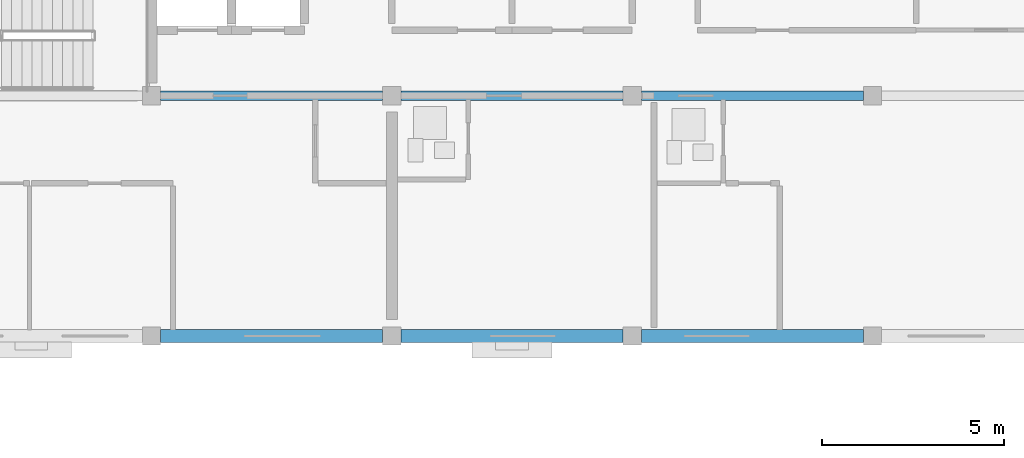
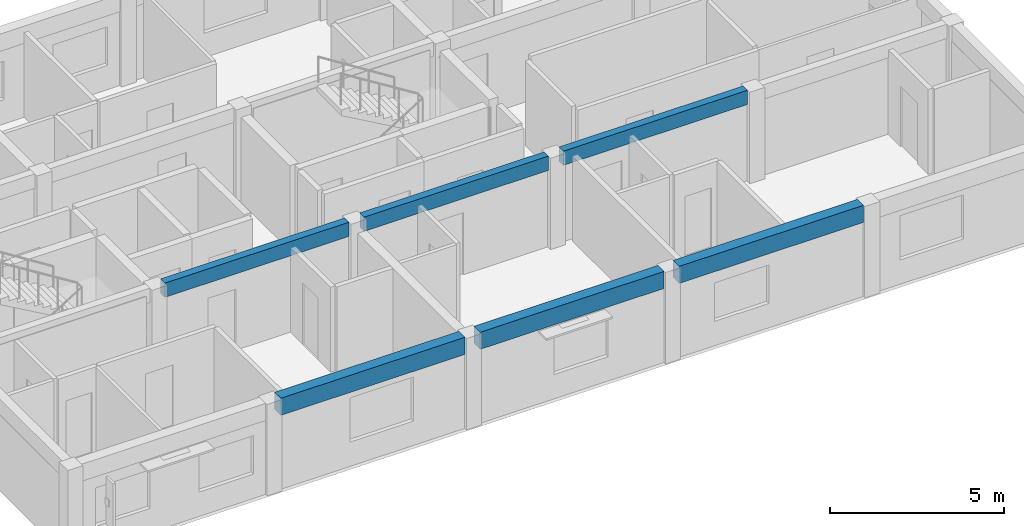
# One storey, part 20 of 53: 6 beams.
"""IFC4 building model written with IfcOpenShell, lengths in metres."""

from ifc_helpers import new_model, si_unit, direction, frame, origin, origin_2d, place, context, subcontext, project, spatial, rectangle, extrude, material, material_profile, profile_set, type_object, element, save


model = new_model("IFC4")

# Units and contexts
model_context = context("Model", 3, precision=1e-05, world=origin(), true_north=direction((0.0, 1.0)))
body_context = subcontext(model_context, "Body", "Model", "MODEL_VIEW")
ifc_project = project(units=[si_unit("LENGTHUNIT", "METRE"), si_unit("AREAUNIT", "SQUARE_METRE"), si_unit("VOLUMEUNIT", "CUBIC_METRE"), si_unit("PLANEANGLEUNIT", "RADIAN"), si_unit("MASSUNIT", "GRAM", prefix="KILO")], contexts=[model_context])

# Site, building, storey
site_placement = place(None, origin())
site = spatial("IfcSite", under=ifc_project, at=site_placement, CompositionType="ELEMENT")
building_placement = place(site_placement, origin())
building = spatial("IfcBuilding", under=site, at=building_placement, Name="Kernevlak Ridge Housing Community", CompositionType="ELEMENT")
storey_placement = place(building_placement, frame((0.0, 0.0, 24.39990234375)))
storey = spatial("IfcBuildingStorey", under=building, at=storey_placement, Name="L07", CompositionType="ELEMENT", Elevation=24.39990234375)

# Beams
ifc_material = material(Name="Concrete C35/45", Category="concrete")
ifc_material_profile_1 = material_profile(ifc_material, rectangle(XDim=0.25, YDim=0.5, at=origin_2d()), Name="RC 250x500")
ifc_profile_set_1 = profile_set([ifc_material_profile_1], Name="Concrete C35/45")
beam_type_1 = type_object("IfcBeamType", Name="B-06", PredefinedType="T_BEAM", material=ifc_profile_set_1)
beam_1_placement = place(storey_placement, frame((126.25, 89.199951171875, 2.9501953125), z_axis=(1.0, 0.0, 0.0), x_axis=(0.0, 1.0, 0.0)))
element("IfcBeam", 1, at=beam_1_placement, inside=storey, type_object=beam_type_1, Name="Beam B-06 L07 765", PredefinedType="T_BEAM", context=body_context, shape_type="SweptSolid", body=[
    extrude(rectangle(XDim=0.25, YDim=0.5, at=origin_2d()), origin(), (0.0, 0.0, 1.0), 6.10009765625),
])
beam_2_placement = place(storey_placement, frame((132.85009765625, 89.199951171875, 2.9501953125), z_axis=(1.0, 0.0, 0.0), x_axis=(0.0, 1.0, 0.0)))
element("IfcBeam", 2, at=beam_2_placement, inside=storey, type_object=beam_type_1, Name="Beam B-06 L07 766", PredefinedType="T_BEAM", context=body_context, shape_type="SweptSolid", body=[
    extrude(rectangle(XDim=0.25, YDim=0.5, at=origin_2d()), origin(), (0.0, 0.0, 1.0), 6.099853515625),
])
beam_3_placement = place(storey_placement, frame((139.449951171875, 89.199951171875, 2.9501953125), z_axis=(1.0, 0.0, 0.0), x_axis=(0.0, 1.0, 0.0)))
element("IfcBeam", 3, at=beam_3_placement, inside=storey, type_object=beam_type_1, Name="Beam B-06 L07 767", PredefinedType="T_BEAM", context=body_context, shape_type="SweptSolid", body=[
    extrude(rectangle(XDim=0.25, YDim=0.5, at=origin_2d()), origin(), (0.0, 0.0, 1.0), 6.10009765625),
])
ifc_material_profile_2 = material_profile(ifc_material, rectangle(XDim=0.35009765625, YDim=0.60009765625, at=origin_2d()), Name="RC 350x600")
ifc_profile_set_2 = profile_set([ifc_material_profile_2], Name="Concrete C35/45")
beam_type_2 = type_object("IfcBeamType", Name="SP-03", PredefinedType="SPANDREL", material=ifc_profile_set_2)
beam_4_placement = place(storey_placement, frame((126.25, 82.60009765625, 2.900146484375), z_axis=(1.0, 0.0, 0.0), x_axis=(0.0, 1.0, 0.0)))
element("IfcBeam", 4, at=beam_4_placement, inside=storey, type_object=beam_type_2, Name="Beam SP-03 L07 760", PredefinedType="SPANDREL", context=body_context, shape_type="SweptSolid", body=[
    extrude(rectangle(XDim=0.35009765625, YDim=0.60009765625, at=origin_2d()), origin(), (0.0, 0.0, 1.0), 6.10009765625),
])
beam_5_placement = place(storey_placement, frame((132.85009765625, 82.60009765625, 2.900146484375), z_axis=(1.0, 0.0, 0.0), x_axis=(0.0, 1.0, 0.0)))
element("IfcBeam", 5, at=beam_5_placement, inside=storey, type_object=beam_type_2, Name="Beam SP-03 L07 761", PredefinedType="SPANDREL", context=body_context, shape_type="SweptSolid", body=[
    extrude(rectangle(XDim=0.35009765625, YDim=0.60009765625, at=origin_2d()), origin(), (0.0, 0.0, 1.0), 6.099853515625),
])
beam_6_placement = place(storey_placement, frame((139.449951171875, 82.60009765625, 2.900146484375), z_axis=(1.0, 0.0, 0.0), x_axis=(0.0, 1.0, 0.0)))
element("IfcBeam", 6, at=beam_6_placement, inside=storey, type_object=beam_type_2, Name="Beam SP-03 L07 762", PredefinedType="SPANDREL", context=body_context, shape_type="SweptSolid", body=[
    extrude(rectangle(XDim=0.35009765625, YDim=0.60009765625, at=origin_2d()), origin(), (0.0, 0.0, 1.0), 6.10009765625),
])

save(model, "model.ifc")
